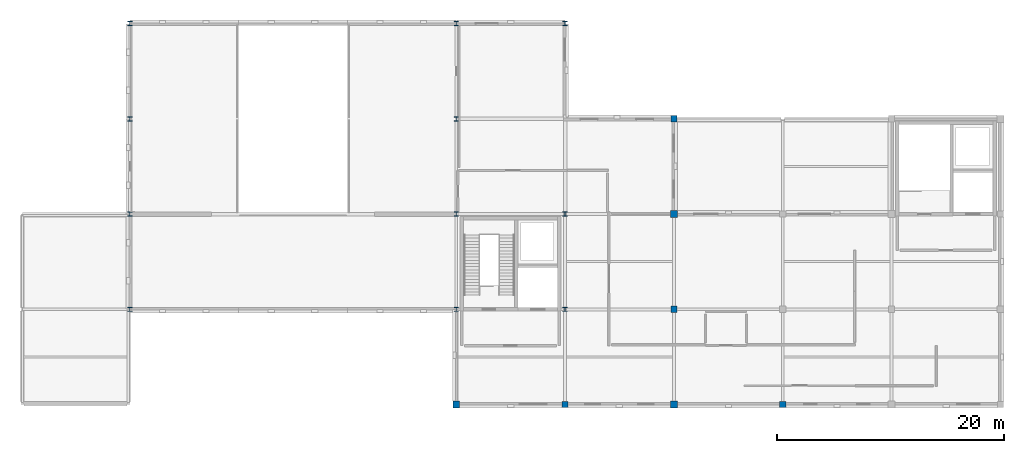
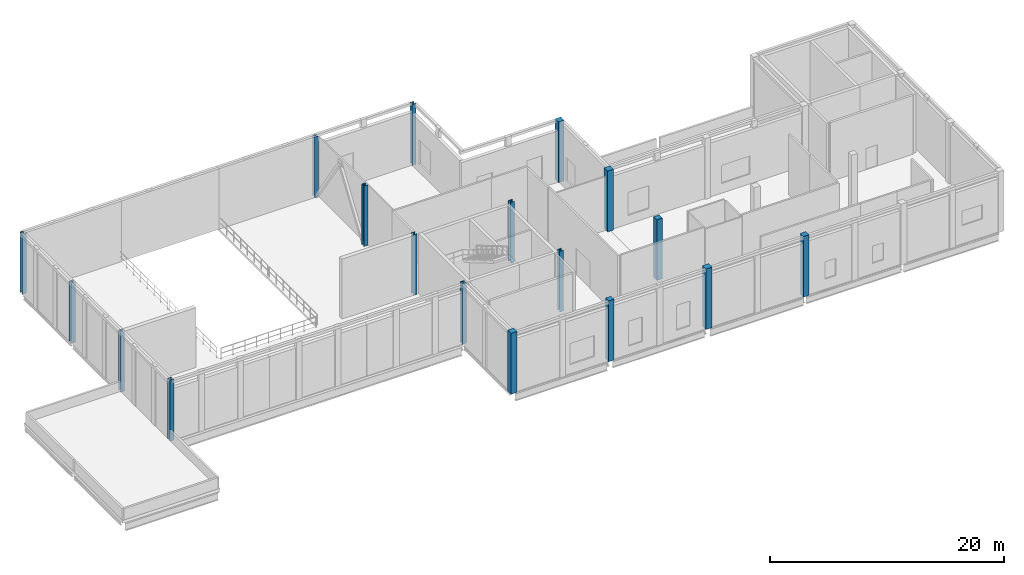
# One storey, part 1 of 9: 18 columns.
"""IFC4 building model written with IfcOpenShell, lengths in metres."""

from ifc_helpers import new_model, si_unit, direction, frame, origin, origin_2d, place, context, subcontext, project, spatial, rectangle, i_section, extrude, material, material_profile, profile_set, type_object, element, save


model = new_model("IFC4")

# Units and contexts
model_context = context("Model", 3, precision=1e-05, world=origin(), true_north=direction((0.0, 1.0)))
body_context = subcontext(model_context, "Body", "Model", "MODEL_VIEW")
ifc_project = project(units=[si_unit("LENGTHUNIT", "METRE"), si_unit("AREAUNIT", "SQUARE_METRE"), si_unit("VOLUMEUNIT", "CUBIC_METRE"), si_unit("PLANEANGLEUNIT", "RADIAN"), si_unit("MASSUNIT", "GRAM", prefix="KILO")], contexts=[model_context])

# Site, building, storey
site_placement = place(None, origin())
site = spatial("IfcSite", under=ifc_project, at=site_placement, CompositionType="ELEMENT")
building_placement = place(site_placement, origin())
building = spatial("IfcBuilding", under=site, at=building_placement, Name="Lornevale Opera House", CompositionType="ELEMENT")
storey_placement = place(building_placement, frame((0.0, 0.0, 24.60009765625)))
storey = spatial("IfcBuildingStorey", under=building, at=storey_placement, Name="L06", CompositionType="ELEMENT", Elevation=24.60009765625)

# Columns
ifc_material_1 = material(Name="Concrete 35 MPa (CSA A23.1 N)", Category="concrete")
ifc_material_profile_1 = material_profile(ifc_material_1, rectangle(XDim=0.550048828125, YDim=0.550048828125, at=origin_2d()), Name="RC550x550")
ifc_profile_set_1 = profile_set([ifc_material_profile_1], Name="Concrete 35 MPa (CSA A23.1 N)")
column_type_1 = type_object("IfcColumnType", Name="Concrete Column 550x550", PredefinedType="COLUMN", material=ifc_profile_set_1)
for number, where, z_axis, x_axis, name in (
    (1, (105.60009765625, 50.39990234375, 0.0), (0.0, 0.0, 1.0), (1.0, 0.0, 0.0), "Concrete Column 550x550 0713"),
    (2, (115.199951171875, 58.800048828125, 0.0), (0.0, 0.0, 1.0), (1.0, 0.0, 0.0), "Concrete Column 550x550 0796"),
    (3, (115.199951171875, 75.60009765625, 0.0), (0.0, 0.0, 1.0), (1.0, 0.0, 0.0), "Concrete Column 550x550 0812"),
    (4, (124.800048828125, 50.39990234375, 0.0), (0.0, 0.0, 1.0), (1.0, 0.0, 0.0), "Concrete Column 550x550 0868"),
):
    element("IfcColumn", number, at=place(storey_placement, frame(where, z_axis=z_axis, x_axis=x_axis)), inside=storey, type_object=column_type_1, Name=name, PredefinedType="COLUMN", context=body_context, shape_type="SweptSolid", body=[
        extrude(rectangle(XDim=0.550048828125, YDim=0.550048828125, at=origin_2d()), origin(), (0.0, 0.0, 1.0), 6.329833984375),
    ])
ifc_material_profile_2 = material_profile(ifc_material_1, rectangle(XDim=0.60009765625, YDim=0.60009765625, at=origin_2d()), Name="RC600x600")
ifc_profile_set_2 = profile_set([ifc_material_profile_2], Name="Concrete 35 MPa (CSA A23.1 N)")
column_type_2 = type_object("IfcColumnType", Name="Concrete Column 600x600", PredefinedType="COLUMN", material=ifc_profile_set_2)
for number, where, z_axis, x_axis, name in (
    (5, (96.0, 50.39990234375, 0.0), (0.0, 0.0, 1.0), (1.0, 0.0, 0.0), "Concrete Column 600x600 0632"),
    (6, (115.199951171875, 50.39990234375, 0.0), (0.0, 0.0, 1.0), (1.0, 0.0, 0.0), "Concrete Column 600x600 0788"),
    (7, (115.199951171875, 67.199951171875, 0.0), (0.0, 0.0, 1.0), (1.0, 0.0, 0.0), "Concrete Column 600x600 0804"),
):
    element("IfcColumn", number, at=place(storey_placement, frame(where, z_axis=z_axis, x_axis=x_axis)), inside=storey, type_object=column_type_2, Name=name, PredefinedType="COLUMN", context=body_context, shape_type="SweptSolid", body=[
        extrude(rectangle(XDim=0.60009765625, YDim=0.60009765625, at=origin_2d()), origin(), (0.0, 0.0, 1.0), 6.329833984375),
    ])
ifc_material_2 = material(Name="Structural Steel CSA G40.21 Grade 350W (350 MPa)", Category="steel")
ifc_material_profile_3 = material_profile(ifc_material_2, i_section(OverallWidth=0.39599609375, OverallDepth=0.386962890625, WebThickness=0.02490234375, FlangeThickness=0.0380859375, at=origin_2d()), Name="W360x262")
ifc_profile_set_3 = profile_set([ifc_material_profile_3], Name="Structural Steel CSA G40.21 Grade 350W (350 MPa)")
column_type_3 = type_object("IfcColumnType", Name="Steel Stagehouse Column W360x262", PredefinedType="COLUMN", material=ifc_profile_set_3)
column_1_placement = place(storey_placement, frame((67.199951171875, 58.800048828125, 0.0), z_axis=(0.0, 0.0, 1.0), x_axis=(1.0, 0.0, 0.0)))
element("IfcColumn", 8, at=column_1_placement, inside=storey, type_object=column_type_3, Name="Steel Stagehouse Column W360x262 0458", PredefinedType="COLUMN", context=body_context, shape_type="SweptSolid", body=[
    extrude(i_section(OverallWidth=0.39599609375, OverallDepth=0.386962890625, WebThickness=0.02490234375, FlangeThickness=0.0380859375, at=origin_2d()), origin(), (0.0, 0.0, 1.0), 6.329833984375),
])
for number, where, z_axis, x_axis, name in (
    (9, (67.199951171875, 67.199951171875, 0.0), (0.0, 0.0, 1.0), (1.0, 0.0, 0.0), "Steel Stagehouse Column W360x262 0466"),
    (10, (67.199951171875, 75.60009765625, 0.0), (0.0, 0.0, 1.0), (1.0, 0.0, 0.0), "Steel Stagehouse Column W360x262 0474"),
    (11, (67.199951171875, 84.0, 0.0), (0.0, 0.0, 1.0), (1.0, 0.0, 0.0), "Steel Stagehouse Column W360x262 0482"),
):
    element("IfcColumn", number, at=place(storey_placement, frame(where, z_axis=z_axis, x_axis=x_axis)), inside=storey, type_object=column_type_3, Name=name, PredefinedType="COLUMN", context=body_context, shape_type="SweptSolid", body=[
        extrude(i_section(OverallWidth=0.39599609375, OverallDepth=0.386962890625, WebThickness=0.02490234375, FlangeThickness=0.0380859375, at=origin_2d()), origin(), (0.0, 0.0, 1.0), 6.2998046875),
    ])
column_2_placement = place(storey_placement, frame((96.0, 58.800048828125, 0.0), z_axis=(0.0, 0.0, 1.0), x_axis=(1.0, 0.0, 0.0)))
element("IfcColumn", 12, at=column_2_placement, inside=storey, type_object=column_type_3, Name="Steel Stagehouse Column W360x262 0640", PredefinedType="COLUMN", context=body_context, shape_type="SweptSolid", body=[
    extrude(i_section(OverallWidth=0.39599609375, OverallDepth=0.386962890625, WebThickness=0.02490234375, FlangeThickness=0.0380859375, at=origin_2d()), origin(), (0.0, 0.0, 1.0), 6.31982421875),
])
for number, where, z_axis, x_axis, name in (
    (13, (96.0, 67.199951171875, 0.0), (0.0, 0.0, 1.0), (1.0, 0.0, 0.0), "Steel Stagehouse Column W360x262 0648"),
    (14, (96.0, 75.60009765625, 0.0), (0.0, 0.0, 1.0), (1.0, 0.0, 0.0), "Steel Stagehouse Column W360x262 0656"),
    (15, (96.0, 84.0, 0.0), (0.0, 0.0, 1.0), (1.0, 0.0, 0.0), "Steel Stagehouse Column W360x262 0664"),
):
    element("IfcColumn", number, at=place(storey_placement, frame(where, z_axis=z_axis, x_axis=x_axis)), inside=storey, type_object=column_type_3, Name=name, PredefinedType="COLUMN", context=body_context, shape_type="SweptSolid", body=[
        extrude(i_section(OverallWidth=0.39599609375, OverallDepth=0.386962890625, WebThickness=0.02490234375, FlangeThickness=0.0380859375, at=origin_2d()), origin(), (0.0, 0.0, 1.0), 6.2998046875),
    ])
for number, where, z_axis, x_axis, name in (
    (16, (105.60009765625, 58.800048828125, 0.0), (0.0, 0.0, 1.0), (1.0, 0.0, 0.0), "Steel Stagehouse Column W360x262 0721"),
    (17, (105.60009765625, 67.199951171875, 0.0), (0.0, 0.0, 1.0), (1.0, 0.0, 0.0), "Steel Stagehouse Column W360x262 0729"),
):
    element("IfcColumn", number, at=place(storey_placement, frame(where, z_axis=z_axis, x_axis=x_axis)), inside=storey, type_object=column_type_3, Name=name, PredefinedType="COLUMN", context=body_context, shape_type="SweptSolid", body=[
        extrude(i_section(OverallWidth=0.39599609375, OverallDepth=0.386962890625, WebThickness=0.02490234375, FlangeThickness=0.0380859375, at=origin_2d()), origin(), (0.0, 0.0, 1.0), 6.31982421875),
    ])
column_3_placement = place(storey_placement, frame((105.60009765625, 84.0, 0.0), z_axis=(0.0, 0.0, 1.0), x_axis=(1.0, 0.0, 0.0)))
element("IfcColumn", 18, at=column_3_placement, inside=storey, type_object=column_type_3, Name="Steel Stagehouse Column W360x262 0739", PredefinedType="COLUMN", context=body_context, shape_type="SweptSolid", body=[
    extrude(i_section(OverallWidth=0.39599609375, OverallDepth=0.386962890625, WebThickness=0.02490234375, FlangeThickness=0.0380859375, at=origin_2d()), origin(), (0.0, 0.0, 1.0), 6.329833984375),
])

save(model, "model.ifc")
